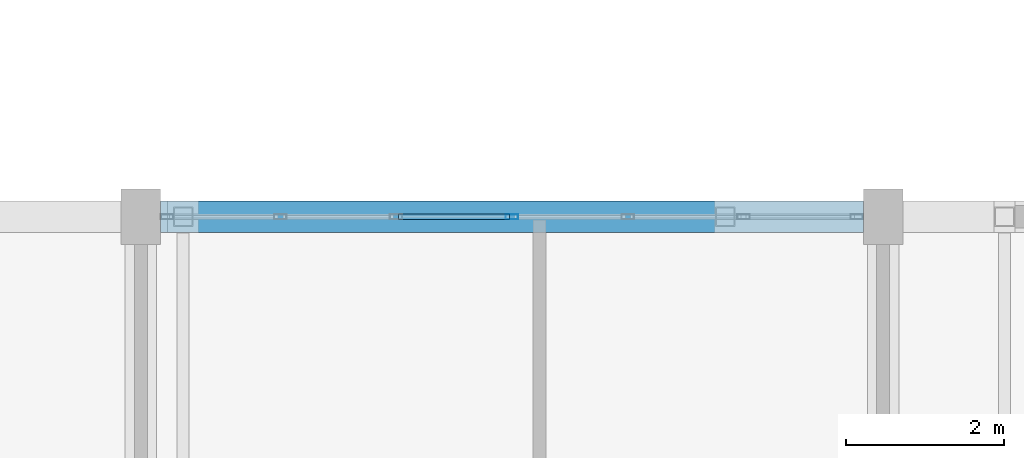
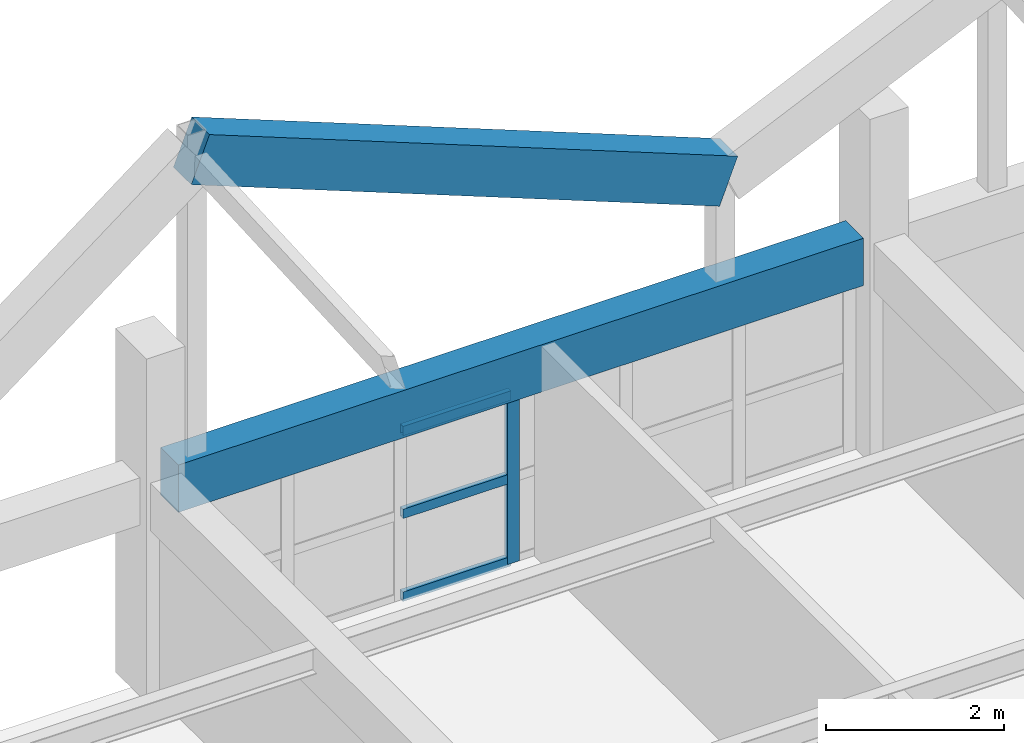
# One storey, part 26 of 127: 4 members, 2 beams, 1 element without a shape of its own.
"""IFC4 building model written with IfcOpenShell, lengths in metres."""

from ifc_helpers import new_model, si_unit, direction, frame, origin, origin_2d, place, context, subcontext, project, spatial, rectangle, hollow_rectangle, extrude, material, material_profile, profile_set, type_object, element, aggregate, save


model = new_model("IFC4")

# Units and contexts
model_context = context("Model", 3, precision=1e-05, world=origin(), true_north=direction((0.0, 1.0)))
body_context = subcontext(model_context, "Body", "Model", "MODEL_VIEW")
ifc_project = project(units=[si_unit("LENGTHUNIT", "METRE"), si_unit("AREAUNIT", "SQUARE_METRE"), si_unit("VOLUMEUNIT", "CUBIC_METRE"), si_unit("PLANEANGLEUNIT", "RADIAN"), si_unit("MASSUNIT", "GRAM", prefix="KILO")], contexts=[model_context])

# Site, building, storey
site_placement = place(None, origin())
site = spatial("IfcSite", under=ifc_project, at=site_placement, CompositionType="ELEMENT")
building_placement = place(site_placement, origin())
building = spatial("IfcBuilding", under=site, at=building_placement, Name="Kestramere Prow Commons", CompositionType="ELEMENT")
storey_placement = place(building_placement, frame((0.0, 0.0, 8.39990234375)))
storey = spatial("IfcBuildingStorey", under=building, at=storey_placement, Name="L02", CompositionType="ELEMENT", Elevation=8.39990234375)

# Beams
ifc_material_1 = material(Name="Precast concrete C40/50", Category="concrete")
ifc_material_profile_1 = material_profile(ifc_material_1, rectangle(XDim=0.39990234375, YDim=0.64990234375, at=origin_2d()), Name="PC-BM 400x650")
ifc_profile_set_1 = profile_set([ifc_material_profile_1], Name="Precast concrete C40/50")
beam_type = type_object("IfcBeamType", Name="BM-MK-01 PC-BM 400x650 (EX)", PredefinedType="BEAM", material=ifc_profile_set_1)
beam_1_placement = place(storey_placement, frame((94.449951171875, 24.0, 2.675048828125), z_axis=(1.0, 0.0, 0.0), x_axis=(0.0, 1.0, 0.0)))
element("IfcBeam", 1, at=beam_1_placement, inside=storey, type_object=beam_type, Name="Market Spine L02 Beam X 3-5", PredefinedType="BEAM", context=body_context, shape_type="SweptSolid", body=[
    extrude(rectangle(XDim=0.39990234375, YDim=0.64990234375, at=origin_2d()), origin(), (0.0, 0.0, 1.0), 8.900146484375),
])
beam_2_placement = place(storey_placement, frame((94.736083984375, 24.0, 7.09521484375), z_axis=(0.93058443739, 0.0, -0.366077320915), x_axis=(0.0, 1.0, 0.0)))
element("IfcBeam", 2, at=beam_2_placement, inside=storey, type_object=beam_type, Name="Market Folded Rafter 4R-24", PredefinedType="BEAM", context=body_context, shape_type="SweptSolid", body=[
    extrude(rectangle(XDim=0.39990234375, YDim=0.64990234375, at=origin_2d()), origin(), (0.0, 0.0, 1.0), 7.3759765625),
])

# Curtain wall, members
ifc_material_2 = material(Name="Anodised Aluminium and Low-E Glass", Category="aluminium")
curtain_wall_type = type_object("IfcCurtainWallType", Name="CW-31 Glazed Curtain Wall 8800x2340", PredefinedType="USERDEFINED", material=ifc_material_2)
curtain_wall_placement = place(storey_placement, origin())
curtain_wall = element("IfcCurtainWall", 3, at=curtain_wall_placement, inside=storey, type_object=curtain_wall_type, Name="Market L02 Courtyard Shopfront 5", ObjectType="GLAZED CURTAIN WALL", PredefinedType="USERDEFINED")
ifc_material_3 = material(Name="Anodised Aluminium 6063-T6", Category="aluminium")
ifc_material_profile_2 = material_profile(ifc_material_3, hollow_rectangle(XDim=0.06494140625, YDim=0.159912109375, WallThickness=0.00390625, at=origin_2d()), Name="ALU-MUL 65x160")
ifc_profile_set_2 = profile_set([ifc_material_profile_2], Name="Anodised Aluminium 6063-T6")
member_type_1 = type_object("IfcMemberType", Name="CW-MUL-65x160", PredefinedType="MULLION", material=ifc_profile_set_2)
member_1_placement = place(storey_placement, frame((98.89990234375, 24.0, 0.0), z_axis=(0.0, 0.0, 1.0), x_axis=(0.0, 1.0, 0.0)))
member_1 = element("IfcMember", 4, at=member_1_placement, type_object=member_type_1, Name="CW-31 mullion 4", PredefinedType="MULLION", context=body_context, shape_type="SweptSolid", body=[
    extrude(hollow_rectangle(XDim=0.06494140625, YDim=0.159912109375, WallThickness=0.00390625, at=origin_2d()), origin(), (0.0, 0.0, 1.0), 2.340087890625),
])
ifc_material_profile_3 = material_profile(ifc_material_3, hollow_rectangle(XDim=0.06494140625, YDim=0.1298828125, WallThickness=0.00390625, at=origin_2d()), Name="ALU-TRN 65x130")
ifc_profile_set_3 = profile_set([ifc_material_profile_3], Name="Anodised Aluminium 6063-T6")
member_type_2 = type_object("IfcMemberType", Name="CW-TRN-65x130", PredefinedType="USERDEFINED", material=ifc_profile_set_3)
member_2_placement = place(storey_placement, frame((97.4658203125, 24.0, 0.03271484375), z_axis=(1.0, 0.0, 0.0), x_axis=(0.0, 1.0, 0.0)))
member_2 = element("IfcMember", 5, at=member_2_placement, type_object=member_type_2, Name="CW-31 transom 3.1", ObjectType="TRANSOM", PredefinedType="USERDEFINED", context=body_context, shape_type="SweptSolid", body=[
    extrude(hollow_rectangle(XDim=0.06494140625, YDim=0.1298828125, WallThickness=0.00390625, at=origin_2d()), origin(), (0.0, 0.0, 1.0), 1.401611328125),
])
member_3_placement = place(storey_placement, frame((97.4658203125, 24.0, 1.170166015625), z_axis=(1.0, 0.0, 0.0), x_axis=(0.0, 1.0, 0.0)))
member_3 = element("IfcMember", 6, at=member_3_placement, type_object=member_type_2, Name="CW-31 transom 3.2", ObjectType="TRANSOM", PredefinedType="USERDEFINED", context=body_context, shape_type="SweptSolid", body=[
    extrude(hollow_rectangle(XDim=0.06494140625, YDim=0.1298828125, WallThickness=0.00390625, at=origin_2d()), origin(), (0.0, 0.0, 1.0), 1.401611328125),
])
member_4_placement = place(storey_placement, frame((97.4658203125, 24.0, 2.3076171875), z_axis=(1.0, 0.0, 0.0), x_axis=(0.0, 1.0, 0.0)))
member_4 = element("IfcMember", 7, at=member_4_placement, type_object=member_type_2, Name="CW-31 transom 3.3", ObjectType="TRANSOM", PredefinedType="USERDEFINED", context=body_context, shape_type="SweptSolid", body=[
    extrude(hollow_rectangle(XDim=0.06494140625, YDim=0.1298828125, WallThickness=0.00390625, at=origin_2d()), origin(), (0.0, 0.0, 1.0), 1.401611328125),
])
aggregate(curtain_wall, [member_1, member_2, member_3, member_4])

save(model, "model.ifc")
